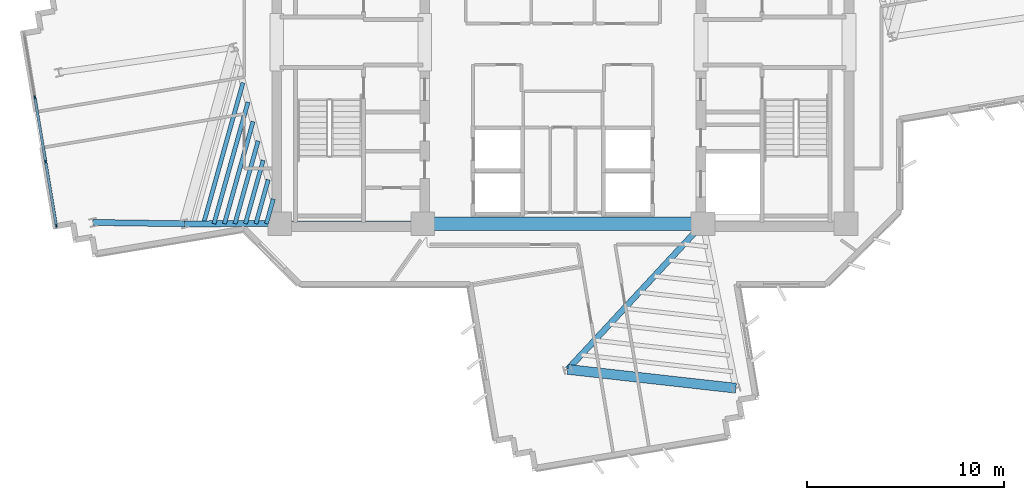
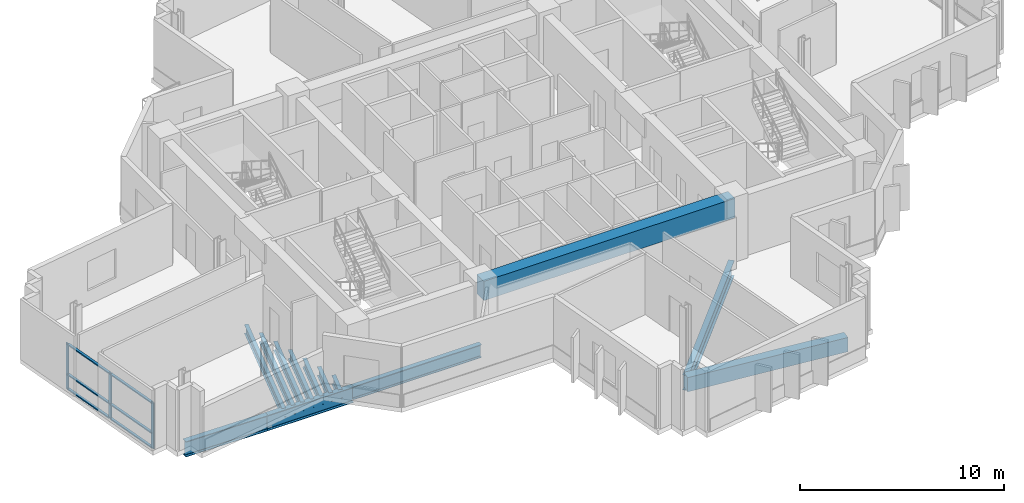
# One storey, part 2 of 15: 13 beams, 9 members, 1 element without a shape of its own.
"""IFC4 building model written with IfcOpenShell, lengths in metres."""

from ifc_helpers import new_model, si_unit, direction, frame, origin, origin_2d, place, context, subcontext, project, spatial, rectangle, i_section, extrude, source, transform, mapped, material, layer, layer_set, material_profile, profile_set, type_object, element, aggregate, save


model = new_model("IFC4")

# Units and contexts
model_context = context("Model", 3, precision=1e-05, world=origin(), true_north=direction((0.0, 1.0)))
body_context = subcontext(model_context, "Body", "Model", "MODEL_VIEW")
ifc_project = project(units=[si_unit("LENGTHUNIT", "METRE"), si_unit("AREAUNIT", "SQUARE_METRE"), si_unit("VOLUMEUNIT", "CUBIC_METRE"), si_unit("PLANEANGLEUNIT", "RADIAN"), si_unit("MASSUNIT", "GRAM", prefix="KILO")], contexts=[model_context])

# Site, building, storey
site_placement = place(None, origin())
site = spatial("IfcSite", under=ifc_project, at=site_placement, CompositionType="ELEMENT")
building_placement = place(site_placement, origin())
building = spatial("IfcBuilding", under=site, at=building_placement, Name="Zahravan Cultural Tower", CompositionType="ELEMENT")
storey_placement = place(building_placement, frame((0.0, 0.0, 139.5)))
storey = spatial("IfcBuildingStorey", under=building, at=storey_placement, Name="L31", CompositionType="ELEMENT", Elevation=139.5)

# Beams
ifc_material_1 = material(Name="Concrete C50/60", Category="concrete")
ifc_material_profile_1 = material_profile(ifc_material_1, rectangle(XDim=0.699951171875, YDim=1.14990234375, at=origin_2d()), Name="RC700X1150")
ifc_profile_set_1 = profile_set([ifc_material_profile_1], Name="Concrete C50/60")
beam_type_1 = type_object("IfcBeamType", Name="BM-LN-RC700X1150", PredefinedType="LINTEL", material=ifc_profile_set_1)
shared_shape_1 = source(origin(), body_context, "Body", "SweptSolid", [
    extrude(rectangle(XDim=0.699951171875, YDim=1.14990234375, at=origin_2d()), origin(), (0.0, 0.0, 1.0), 14.2001953125),
])
beam_1_placement = place(storey_placement, frame((28.89990234375, 17.800048828125, 3.044921875), z_axis=(1.0, 0.0, 0.0), x_axis=(0.0, 1.0, 0.0)))
element("IfcBeam", 1, at=beam_1_placement, inside=storey, type_object=beam_type_1, Name="L31 Beam LN-L31-S", PredefinedType="LINTEL", context=body_context, shape_type="MappedRepresentation", body=[
    mapped(shared_shape_1, transform((0.0, 0.0, 0.0), x_axis=(1.0, 0.0, 0.0), y_axis=(0.0, 1.0, 0.0), z_axis=(0.0, 0.0, 1.0), scale=1.0)),
])
ifc_material_2 = material(Name="Steel ASTM A992 Grade 50", Category="steel")
ifc_material_profile_2 = material_profile(ifc_material_2, i_section(OverallWidth=0.26611328125, OverallDepth=0.780029296875, WebThickness=0.0166015625, FlangeThickness=0.030029296875, FilletRadius=0.01904296875, at=origin_2d()), Name="W30X148")
ifc_profile_set_2 = profile_set([ifc_material_profile_2], Name="Steel ASTM A992 Grade 50")
beam_type_2 = type_object("IfcBeamType", Name="BM-G-W30X148", PredefinedType="BEAM", material=ifc_profile_set_2)
shared_shape_2 = source(origin(), body_context, "Body", "SweptSolid", [
    extrude(i_section(OverallWidth=0.26611328125, OverallDepth=0.780029296875, WebThickness=0.0166015625, FlangeThickness=0.030029296875, FilletRadius=0.01904296875, at=origin_2d()), origin(), (0.0, 0.0, 1.0), 7.25),
])
beam_2_placement = place(storey_placement, frame((21.64990234375, 17.800048828125, -0.669921875), z_axis=(1.0, 0.0, 0.0), x_axis=(0.0, 1.0, 0.0)))
element("IfcBeam", 2, at=beam_2_placement, inside=storey, type_object=beam_type_2, Name="L31 Beam BG-L31-01", PredefinedType="BEAM", context=body_context, shape_type="MappedRepresentation", body=[
    mapped(shared_shape_2, transform((0.0, 0.0, 0.0), x_axis=(1.0, 0.0, 0.0), y_axis=(0.0, 1.0, 0.0), z_axis=(0.0, 0.0, 1.0), scale=1.0)),
])
ifc_material_profile_3 = material_profile(ifc_material_2, i_section(OverallWidth=0.304931640625, OverallDepth=0.9189453125, WebThickness=0.017333984375, FlangeThickness=0.02783203125, FilletRadius=0.02392578125, at=origin_2d()), Name="W36X170")
ifc_profile_set_3 = profile_set([ifc_material_profile_3], Name="Steel ASTM A992 Grade 50")
beam_type_3 = type_object("IfcBeamType", Name="BM-G-W36X170", PredefinedType="BEAM", material=ifc_profile_set_3)
shared_shape_3 = source(origin(), body_context, "Body", "SweptSolid", [
    extrude(i_section(OverallWidth=0.304931640625, OverallDepth=0.9189453125, WebThickness=0.017333984375, FlangeThickness=0.02783203125, FilletRadius=0.02392578125, at=origin_2d()), origin(), (0.0, 0.0, 1.0), 4.834716796875),
])
beam_3_placement = place(storey_placement, frame((21.64990234375, 17.800048828125, -0.739501953125), z_axis=(-0.99999920313, -0.001262433979, 0.0), x_axis=(0.001262433979, -0.99999920313, 0.0)))
element("IfcBeam", 3, at=beam_3_placement, inside=storey, type_object=beam_type_3, Name="L31 Beam BG-L31-08", PredefinedType="BEAM", context=body_context, shape_type="MappedRepresentation", body=[
    mapped(shared_shape_3, transform((0.0, 0.0, 0.0), x_axis=(1.0, 0.0, 0.0), y_axis=(0.0, 1.0, 0.0), z_axis=(0.0, 0.0, 1.0), scale=1.0)),
])
shared_shape_4 = source(origin(), body_context, "Body", "SweptSolid", [
    extrude(i_section(OverallWidth=0.304931640625, OverallDepth=0.9189453125, WebThickness=0.017333984375, FlangeThickness=0.02783203125, FilletRadius=0.02392578125, at=origin_2d()), origin(), (0.0, 0.0, 1.0), 10.077880859375),
])
beam_4_placement = place(storey_placement, frame((43.10009765625, 17.800048828125, -0.739501953125), z_axis=(-0.680170435587, -0.733054007938, 0.0), x_axis=(0.733054007938, -0.680170435587, 0.0)))
element("IfcBeam", 4, at=beam_4_placement, inside=storey, type_object=beam_type_3, Name="L31 Beam BG-L31-09", PredefinedType="BEAM", context=body_context, shape_type="MappedRepresentation", body=[
    mapped(shared_shape_4, transform((0.0, 0.0, 0.0), x_axis=(1.0, 0.0, 0.0), y_axis=(0.0, 1.0, 0.0), z_axis=(0.0, 0.0, 1.0), scale=1.0)),
])
shared_shape_5 = source(origin(), body_context, "Body", "SweptSolid", [
    extrude(i_section(OverallWidth=0.304931640625, OverallDepth=0.9189453125, WebThickness=0.017333984375, FlangeThickness=0.02783203125, FilletRadius=0.02392578125, at=origin_2d()), origin(), (0.0, 0.0, 1.0), 4.622314453125),
])
beam_5_placement = place(storey_placement, frame((16.815185546875, 17.7939453125, -0.739501953125), z_axis=(-0.999889070044, 0.014894549562, 0.0), x_axis=(-0.014894549562, -0.999889070044, 0.0)))
element("IfcBeam", 5, at=beam_5_placement, inside=storey, type_object=beam_type_3, Name="L31 Beam BG-L31-18", PredefinedType="BEAM", context=body_context, shape_type="MappedRepresentation", body=[
    mapped(shared_shape_5, transform((0.0, 0.0, 0.0), x_axis=(1.0, 0.0, 0.0), y_axis=(0.0, 1.0, 0.0), z_axis=(0.0, 0.0, 1.0), scale=1.0)),
])
ifc_material_profile_4 = material_profile(ifc_material_1, rectangle(XDim=0.5, YDim=0.85009765625, at=origin_2d()), Name="RC500X850")
ifc_profile_set_4 = profile_set([ifc_material_profile_4], Name="Concrete C50/60")
beam_type_4 = type_object("IfcBeamType", Name="BM-SP-RC500X850", PredefinedType="SPANDREL", material=ifc_profile_set_4)
shared_shape_6 = source(origin(), body_context, "Body", "SweptSolid", [
    extrude(rectangle(XDim=0.5, YDim=0.85009765625, at=origin_2d()), origin(), (0.0, 0.0, 1.0), 8.579833984375),
])
beam_6_placement = place(storey_placement, frame((36.245361328125, 10.412353515625, -0.705078125), z_axis=(0.9938040105, -0.11114669907, 0.0), x_axis=(0.11114669907, 0.9938040105, 0.0)))
element("IfcBeam", 6, at=beam_6_placement, inside=storey, type_object=beam_type_4, Name="L31 Beam SP-L31-20", PredefinedType="SPANDREL", context=body_context, shape_type="MappedRepresentation", body=[
    mapped(shared_shape_6, transform((0.0, 0.0, 0.0), x_axis=(1.0, 0.0, 0.0), y_axis=(0.0, 1.0, 0.0), z_axis=(0.0, 0.0, 1.0), scale=1.0)),
])
ifc_material_profile_5 = material_profile(ifc_material_2, i_section(OverallWidth=0.2099609375, OverallDepth=0.532958984375, WebThickness=0.01025390625, FlangeThickness=0.015625, FilletRadius=0.013916015625, at=origin_2d()), Name="W21X62")
ifc_profile_set_5 = profile_set([ifc_material_profile_5], Name="Steel ASTM A992 Grade 50")
beam_type_5 = type_object("IfcBeamType", Name="BM-J-W21X62", PredefinedType="JOIST", material=ifc_profile_set_5)
shared_shape_7 = source(origin(), body_context, "Body", "SweptSolid", [
    extrude(i_section(OverallWidth=0.2099609375, OverallDepth=0.532958984375, WebThickness=0.01025390625, FlangeThickness=0.015625, FilletRadius=0.013916015625, at=origin_2d()), origin(), (0.0, 0.0, 1.0), 1.299072265625),
])
beam_7_placement = place(storey_placement, frame((21.3232421875, 19.050048828125, -0.54638671875), z_axis=(-0.269504444708, -0.962999145525, 0.0), x_axis=(0.962999145525, -0.269504444708, 0.0)))
element("IfcBeam", 7, at=beam_7_placement, inside=storey, type_object=beam_type_5, Name="L31 Beam BJ-L31-24", PredefinedType="JOIST", context=body_context, shape_type="MappedRepresentation", body=[
    mapped(shared_shape_7, transform((0.0, 0.0, 0.0), x_axis=(1.0, 0.0, 0.0), y_axis=(0.0, 1.0, 0.0), z_axis=(0.0, 0.0, 1.0), scale=1.0)),
])
shared_shape_8 = source(origin(), body_context, "Body", "SweptSolid", [
    extrude(i_section(OverallWidth=0.2099609375, OverallDepth=0.532958984375, WebThickness=0.01025390625, FlangeThickness=0.015625, FilletRadius=0.013916015625, at=origin_2d()), origin(), (0.0, 0.0, 1.0), 2.3193359375),
])
beam_8_placement = place(storey_placement, frame((21.06640625, 20.0322265625, -0.54638671875), z_axis=(-0.269462038626, -0.963011012263, 0.0), x_axis=(0.963011012263, -0.269462038626, 0.0)))
element("IfcBeam", 8, at=beam_8_placement, inside=storey, type_object=beam_type_5, Name="L31 Beam BJ-L31-25", PredefinedType="JOIST", context=body_context, shape_type="MappedRepresentation", body=[
    mapped(shared_shape_8, transform((0.0, 0.0, 0.0), x_axis=(1.0, 0.0, 0.0), y_axis=(0.0, 1.0, 0.0), z_axis=(0.0, 0.0, 1.0), scale=1.0)),
])
shared_shape_9 = source(origin(), body_context, "Body", "SweptSolid", [
    extrude(i_section(OverallWidth=0.2099609375, OverallDepth=0.532958984375, WebThickness=0.01025390625, FlangeThickness=0.015625, FilletRadius=0.013916015625, at=origin_2d()), origin(), (0.0, 0.0, 1.0), 3.340087890625),
])
beam_9_placement = place(storey_placement, frame((20.809814453125, 21.014404296875, -0.54638671875), z_axis=(-0.269562146951, -0.962982995141, 0.0), x_axis=(0.962982995141, -0.269562146951, 0.0)))
element("IfcBeam", 9, at=beam_9_placement, inside=storey, type_object=beam_type_5, Name="L31 Beam BJ-L31-26", PredefinedType="JOIST", context=body_context, shape_type="MappedRepresentation", body=[
    mapped(shared_shape_9, transform((0.0, 0.0, 0.0), x_axis=(1.0, 0.0, 0.0), y_axis=(0.0, 1.0, 0.0), z_axis=(0.0, 0.0, 1.0), scale=1.0)),
])
shared_shape_10 = source(origin(), body_context, "Body", "SweptSolid", [
    extrude(i_section(OverallWidth=0.2099609375, OverallDepth=0.532958984375, WebThickness=0.01025390625, FlangeThickness=0.015625, FilletRadius=0.013916015625, at=origin_2d()), origin(), (0.0, 0.0, 1.0), 4.36083984375),
])
beam_10_placement = place(storey_placement, frame((20.552978515625, 21.99658203125, -0.54638671875), z_axis=(-0.269511557673, -0.962997154866, 0.0), x_axis=(0.962997154866, -0.269511557673, 0.0)))
element("IfcBeam", 10, at=beam_10_placement, inside=storey, type_object=beam_type_5, Name="L31 Beam BJ-L31-27", PredefinedType="JOIST", context=body_context, shape_type="MappedRepresentation", body=[
    mapped(shared_shape_10, transform((0.0, 0.0, 0.0), x_axis=(1.0, 0.0, 0.0), y_axis=(0.0, 1.0, 0.0), z_axis=(0.0, 0.0, 1.0), scale=1.0)),
])
shared_shape_11 = source(origin(), body_context, "Body", "SweptSolid", [
    extrude(i_section(OverallWidth=0.2099609375, OverallDepth=0.532958984375, WebThickness=0.01025390625, FlangeThickness=0.015625, FilletRadius=0.013916015625, at=origin_2d()), origin(), (0.0, 0.0, 1.0), 5.3818359375),
])
beam_11_placement = place(storey_placement, frame((20.296142578125, 22.97900390625, -0.54638671875), z_axis=(-0.269510454638, -0.962997463569, 0.0), x_axis=(0.962997463569, -0.269510454638, 0.0)))
element("IfcBeam", 11, at=beam_11_placement, inside=storey, type_object=beam_type_5, Name="L31 Beam BJ-L31-28", PredefinedType="JOIST", context=body_context, shape_type="MappedRepresentation", body=[
    mapped(shared_shape_11, transform((0.0, 0.0, 0.0), x_axis=(1.0, 0.0, 0.0), y_axis=(0.0, 1.0, 0.0), z_axis=(0.0, 0.0, 1.0), scale=1.0)),
])
shared_shape_12 = source(origin(), body_context, "Body", "SweptSolid", [
    extrude(i_section(OverallWidth=0.2099609375, OverallDepth=0.532958984375, WebThickness=0.01025390625, FlangeThickness=0.015625, FilletRadius=0.013916015625, at=origin_2d()), origin(), (0.0, 0.0, 1.0), 6.402099609375),
])
beam_12_placement = place(storey_placement, frame((20.039306640625, 23.961181640625, -0.54638671875), z_axis=(-0.269494133533, -0.963002031146, 0.0), x_axis=(0.963002031146, -0.269494133533, 0.0)))
element("IfcBeam", 12, at=beam_12_placement, inside=storey, type_object=beam_type_5, Name="L31 Beam BJ-L31-29", PredefinedType="JOIST", context=body_context, shape_type="MappedRepresentation", body=[
    mapped(shared_shape_12, transform((0.0, 0.0, 0.0), x_axis=(1.0, 0.0, 0.0), y_axis=(0.0, 1.0, 0.0), z_axis=(0.0, 0.0, 1.0), scale=1.0)),
])
shared_shape_13 = source(origin(), body_context, "Body", "SweptSolid", [
    extrude(i_section(OverallWidth=0.2099609375, OverallDepth=0.532958984375, WebThickness=0.01025390625, FlangeThickness=0.015625, FilletRadius=0.013916015625, at=origin_2d()), origin(), (0.0, 0.0, 1.0), 7.4228515625),
])
beam_13_placement = place(storey_placement, frame((19.78271484375, 24.943359375, -0.54638671875), z_axis=(-0.269504266128, -0.962999195503, 0.0), x_axis=(0.962999195503, -0.269504266128, 0.0)))
element("IfcBeam", 13, at=beam_13_placement, inside=storey, type_object=beam_type_5, Name="L31 Beam BJ-L31-30", PredefinedType="JOIST", context=body_context, shape_type="MappedRepresentation", body=[
    mapped(shared_shape_13, transform((0.0, 0.0, 0.0), x_axis=(1.0, 0.0, 0.0), y_axis=(0.0, 1.0, 0.0), z_axis=(0.0, 0.0, 1.0), scale=1.0)),
])

# Curtain wall, members
ifc_material_3 = material(Name="Anodised bronze-aluminium mullion", Category="aluminium")
ifc_layer = layer(ifc_material_3, 0.179931640625)
ifc_layer_set = layer_set([ifc_layer], Name="Anodised bronze-aluminium mullion")
curtain_wall_type = type_object("IfcCurtainWallType", Name="CW-SYS-3", PredefinedType="USERDEFINED", material=ifc_layer_set)
curtain_wall_placement = place(storey_placement, origin())
curtain_wall = element("IfcCurtainWall", 14, at=curtain_wall_placement, inside=storey, type_object=curtain_wall_type, Name="L31 Recessed Curtain Wall CW-3.2", ObjectType="RECESSED GLAZING", PredefinedType="USERDEFINED")
ifc_material_profile_6 = material_profile(ifc_material_3, rectangle(XDim=0.070068359375, YDim=0.179931640625, at=origin_2d()), Name="AL-M70X180")
ifc_profile_set_6 = profile_set([ifc_material_profile_6], Name="Anodised bronze-aluminium mullion")
member_type_1 = type_object("IfcMemberType", Name="CWM-CW-3", PredefinedType="MULLION", material=ifc_profile_set_6)
shared_shape_14 = source(origin(), body_context, "Body", "SweptSolid", [
    extrude(rectangle(XDim=0.070068359375, YDim=0.179931640625, at=origin_2d()), origin(), (0.0, 0.0, 1.0), 2.739990234375),
])
member_1_placement = place(storey_placement, frame((10.3212890625, 17.70947265625, 0.0), z_axis=(0.0, 0.0, 1.0), x_axis=(-0.986285000163, -0.165051199491, 0.0)))
member_1 = element("IfcMember", 15, at=member_1_placement, type_object=member_type_1, Name="CW-3 mullion 1", PredefinedType="MULLION", context=body_context, shape_type="MappedRepresentation", body=[
    mapped(shared_shape_14, transform((0.0, 0.0, 0.0), x_axis=(1.0, 0.0, 0.0), y_axis=(0.0, 1.0, 0.0), z_axis=(0.0, 0.0, 1.0), scale=1.0)),
])
member_2_placement = place(storey_placement, frame((9.78125, 20.936279296875, 0.0), z_axis=(0.0, 0.0, 1.0), x_axis=(-0.986285000163, -0.165051199491, 0.0)))
member_2 = element("IfcMember", 16, at=member_2_placement, type_object=member_type_1, Name="CW-3 mullion 2", PredefinedType="MULLION", context=body_context, shape_type="MappedRepresentation", body=[
    mapped(shared_shape_14, transform((0.0, 0.0, 0.0), x_axis=(1.0, 0.0, 0.0), y_axis=(0.0, 1.0, 0.0), z_axis=(0.0, 0.0, 1.0), scale=1.0)),
])
member_3_placement = place(storey_placement, frame((9.2353515625, 24.197509765625, 0.0), z_axis=(0.0, 0.0, 1.0), x_axis=(-0.986285000163, -0.165051199491, 0.0)))
member_3 = element("IfcMember", 17, at=member_3_placement, type_object=member_type_1, Name="CW-3 mullion 3", PredefinedType="MULLION", context=body_context, shape_type="MappedRepresentation", body=[
    mapped(shared_shape_14, transform((0.0, 0.0, 0.0), x_axis=(1.0, 0.0, 0.0), y_axis=(0.0, 1.0, 0.0), z_axis=(0.0, 0.0, 1.0), scale=1.0)),
])
ifc_material_profile_7 = material_profile(ifc_material_3, rectangle(XDim=0.139892578125, YDim=0.070068359375, at=origin_2d()), Name="AL-T70X140")
ifc_profile_set_7 = profile_set([ifc_material_profile_7], Name="Anodised bronze-aluminium mullion")
member_type_2 = type_object("IfcMemberType", Name="CWT-CW-3", PredefinedType="USERDEFINED", material=ifc_profile_set_7)
shared_shape_15 = source(origin(), body_context, "Body", "SweptSolid", [
    extrude(rectangle(XDim=0.139892578125, YDim=0.070068359375, at=origin_2d()), origin(), (0.0, 0.0, 1.0), 3.20166015625),
])
member_4_placement = place(storey_placement, frame((10.3154296875, 17.743896484375, 0.034912109375), z_axis=(-0.165017244129, 0.986290681868, 0.0), x_axis=(-0.986290681868, -0.165017244129, 0.0)))
member_4 = element("IfcMember", 18, at=member_4_placement, type_object=member_type_2, Name="CW-3 transom 1.1", ObjectType="TRANSOM", PredefinedType="USERDEFINED", context=body_context, shape_type="MappedRepresentation", body=[
    mapped(shared_shape_15, transform((0.0, 0.0, 0.0), x_axis=(1.0, 0.0, 0.0), y_axis=(0.0, 1.0, 0.0), z_axis=(0.0, 0.0, 1.0), scale=1.0)),
])
member_5_placement = place(storey_placement, frame((10.3154296875, 17.743896484375, 0.89990234375), z_axis=(-0.165017244129, 0.986290681868, 0.0), x_axis=(-0.986290681868, -0.165017244129, 0.0)))
member_5 = element("IfcMember", 19, at=member_5_placement, type_object=member_type_2, Name="CW-3 transom 1.2", ObjectType="TRANSOM", PredefinedType="USERDEFINED", context=body_context, shape_type="MappedRepresentation", body=[
    mapped(shared_shape_15, transform((0.0, 0.0, 0.0), x_axis=(1.0, 0.0, 0.0), y_axis=(0.0, 1.0, 0.0), z_axis=(0.0, 0.0, 1.0), scale=1.0)),
])
member_6_placement = place(storey_placement, frame((10.3154296875, 17.743896484375, 2.705078125), z_axis=(-0.165017244129, 0.986290681868, 0.0), x_axis=(-0.986290681868, -0.165017244129, 0.0)))
member_6 = element("IfcMember", 20, at=member_6_placement, type_object=member_type_2, Name="CW-3 transom 1.3", ObjectType="TRANSOM", PredefinedType="USERDEFINED", context=body_context, shape_type="MappedRepresentation", body=[
    mapped(shared_shape_15, transform((0.0, 0.0, 0.0), x_axis=(1.0, 0.0, 0.0), y_axis=(0.0, 1.0, 0.0), z_axis=(0.0, 0.0, 1.0), scale=1.0)),
])
shared_shape_16 = source(origin(), body_context, "Body", "SweptSolid", [
    extrude(rectangle(XDim=0.139892578125, YDim=0.070068359375, at=origin_2d()), origin(), (0.0, 0.0, 1.0), 3.23681640625),
])
member_7_placement = place(storey_placement, frame((9.775390625, 20.970703125, 0.034912109375), z_axis=(-0.165034988957, 0.9862877128, 0.0), x_axis=(-0.9862877128, -0.165034988957, 0.0)))
member_7 = element("IfcMember", 21, at=member_7_placement, type_object=member_type_2, Name="CW-3 transom 2.1", ObjectType="TRANSOM", PredefinedType="USERDEFINED", context=body_context, shape_type="MappedRepresentation", body=[
    mapped(shared_shape_16, transform((0.0, 0.0, 0.0), x_axis=(1.0, 0.0, 0.0), y_axis=(0.0, 1.0, 0.0), z_axis=(0.0, 0.0, 1.0), scale=1.0)),
])
member_8_placement = place(storey_placement, frame((9.775390625, 20.970703125, 0.89990234375), z_axis=(-0.165034988957, 0.9862877128, 0.0), x_axis=(-0.9862877128, -0.165034988957, 0.0)))
member_8 = element("IfcMember", 22, at=member_8_placement, type_object=member_type_2, Name="CW-3 transom 2.2", ObjectType="TRANSOM", PredefinedType="USERDEFINED", context=body_context, shape_type="MappedRepresentation", body=[
    mapped(shared_shape_16, transform((0.0, 0.0, 0.0), x_axis=(1.0, 0.0, 0.0), y_axis=(0.0, 1.0, 0.0), z_axis=(0.0, 0.0, 1.0), scale=1.0)),
])
member_9_placement = place(storey_placement, frame((9.775390625, 20.970703125, 2.705078125), z_axis=(-0.165034988957, 0.9862877128, 0.0), x_axis=(-0.9862877128, -0.165034988957, 0.0)))
member_9 = element("IfcMember", 23, at=member_9_placement, type_object=member_type_2, Name="CW-3 transom 2.3", ObjectType="TRANSOM", PredefinedType="USERDEFINED", context=body_context, shape_type="MappedRepresentation", body=[
    mapped(shared_shape_16, transform((0.0, 0.0, 0.0), x_axis=(1.0, 0.0, 0.0), y_axis=(0.0, 1.0, 0.0), z_axis=(0.0, 0.0, 1.0), scale=1.0)),
])
aggregate(curtain_wall, [member_1, member_2, member_3, member_4, member_5, member_6, member_7, member_8, member_9])

save(model, "model.ifc")
